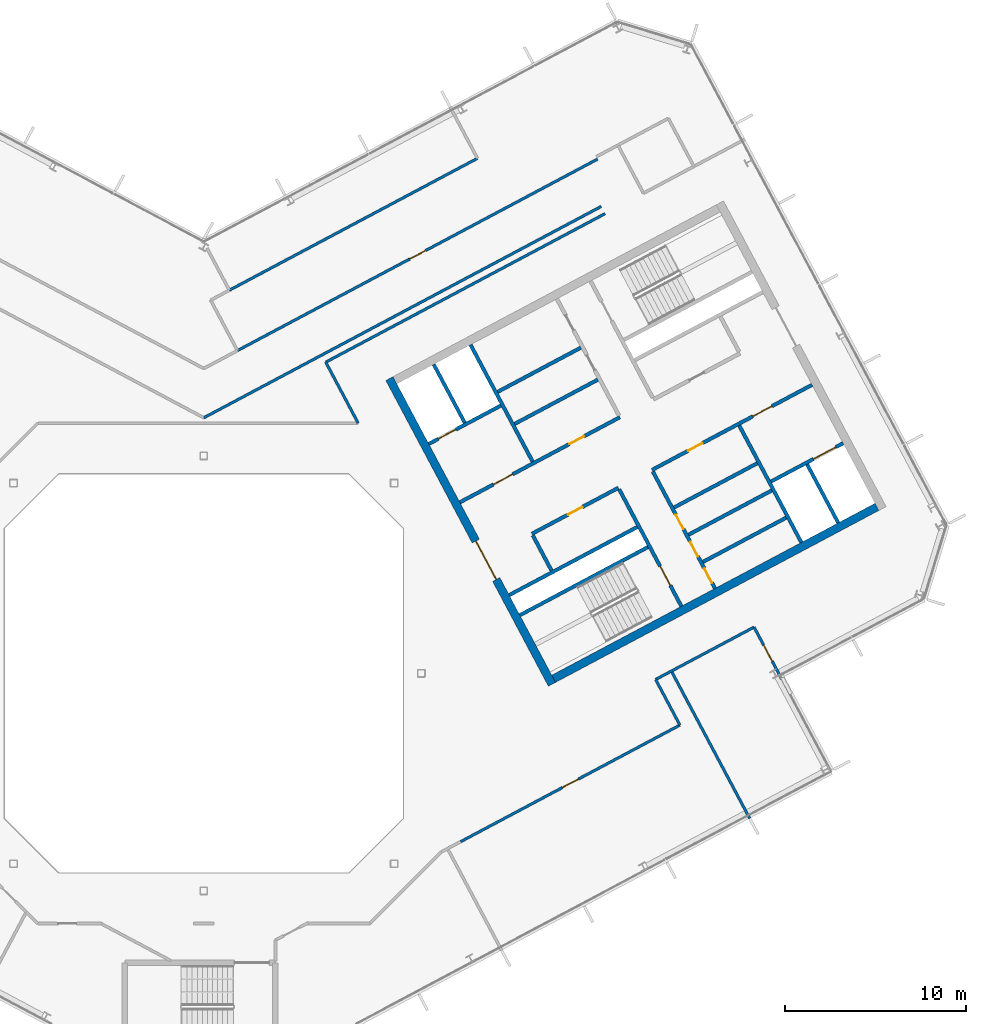
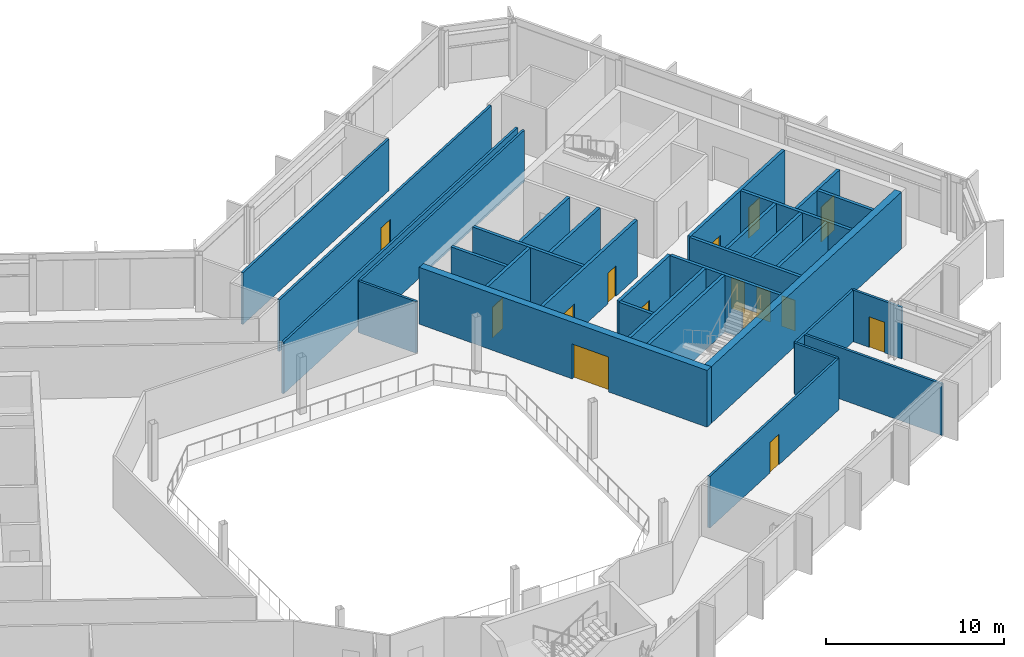
# One storey, part 16 of 26: 31 walls, 15 doors, 15 openings.
"""IFC4 building model written with IfcOpenShell, lengths in metres."""

from ifc_helpers import new_model, si_unit, direction, frame, frame_2d, origin, place, context, subcontext, project, spatial, rectangle, extrude, material, layer, layer_set, type_object, element, fill, save


model = new_model("IFC4")

# Units and contexts
model_context = context("Model", 3, precision=1e-05, world=origin(), true_north=direction((0.0, 1.0)))
body_context = subcontext(model_context, "Body", "Model", "MODEL_VIEW")
ifc_project = project(units=[si_unit("LENGTHUNIT", "METRE"), si_unit("AREAUNIT", "SQUARE_METRE"), si_unit("VOLUMEUNIT", "CUBIC_METRE"), si_unit("PLANEANGLEUNIT", "RADIAN"), si_unit("MASSUNIT", "GRAM", prefix="KILO")], contexts=[model_context])

# Site, building, storey
site_placement = place(None, origin())
site = spatial("IfcSite", under=ifc_project, at=site_placement, CompositionType="ELEMENT")
building_placement = place(site_placement, origin())
building = spatial("IfcBuilding", under=site, at=building_placement, Name="Cormorant Relay Tower", CompositionType="ELEMENT")
storey_placement = place(building_placement, frame((0.0, 0.0, 293.10009765625)))
storey = spatial("IfcBuildingStorey", under=building, at=storey_placement, Name="L66", CompositionType="ELEMENT", Elevation=293.10009765625)

# Walls
ifc_material_1 = material(Name="Concrete 40 MPa", Category="concrete")
ifc_layer_1 = layer(ifc_material_1, 0.199951171875)
ifc_layer_set_1 = layer_set([ifc_layer_1], Name="Core internal wall 200")
wall_type_1 = type_object("IfcWallType", Name="Core internal wall 200", PredefinedType="SOLIDWALL", material=ifc_layer_set_1)
for number, where, z_axis, x_axis, name in (
    (1, (27.537109375, 6.1474609375, 0.0), (0.0, 0.0, 1.0), (0.882934506056, 0.469496174655, 0.0), "L66 core B shaft and room wall"),
    (2, (26.739013671875, 7.6484375, 0.0), (0.0, 0.0, 1.0), (0.882934506056, 0.469496174655, 0.0), "L66 core B shaft and room wall"),
    (3, (16.2080078125, 15.526611328125, 0.0), (0.0, 0.0, 1.0), (0.882953967957, 0.469459572775, 0.0), "L66 core B shaft and room wall"),
):
    element("IfcWall", number, at=place(storey_placement, frame(where, z_axis=z_axis, x_axis=x_axis)), inside=storey, type_object=wall_type_1, Name=name, PredefinedType="SOLIDWALL", context=body_context, shape_type="SweptSolid", body=[
        extrude(rectangle(XDim=5.199951171875, YDim=0.199951171875, at=frame_2d((2.60009765625, 0.0))), origin(), (0.0, 0.0, 1.0), 3.89990234375),
    ])
ifc_material_2 = material(Name="Concrete 50 MPa", Category="concrete")
ifc_layer_2 = layer(ifc_material_2, 0.199951171875)
ifc_layer_set_2 = layer_set([ifc_layer_2], Name="Core shaft wall 200")
wall_type_2 = type_object("IfcWallType", Name="Core shaft wall 200", PredefinedType="SHEAR", material=ifc_layer_set_2)
wall_1_placement = place(storey_placement, frame((14.39404296875, 13.825927734375, 0.0), z_axis=(0.0, 0.0, 1.0), x_axis=(-0.469494272526, 0.882935517501, 0.0)))
element("IfcWall", 4, at=wall_1_placement, inside=storey, type_object=wall_type_2, Name="L66 core B shaft wall", PredefinedType="SHEAR", context=body_context, shape_type="SweptSolid", body=[
    extrude(rectangle(XDim=3.64990234375, YDim=0.199951171875, at=frame_2d((1.824951171875, 0.0))), origin(), (0.0, 0.0, 1.0), 3.89990234375),
])
wall_2_placement = place(storey_placement, frame((19.18359375, 5.669921875, 0.0), z_axis=(0.0, 0.0, 1.0), x_axis=(-0.4694473164, 0.882960484464, 0.0)))
element("IfcWall", 5, at=wall_2_placement, inside=storey, type_object=wall_type_2, Name="L66 core B shaft wall", PredefinedType="SHEAR", context=body_context, shape_type="SweptSolid", body=[
    extrude(rectangle(XDim=2.199951171875, YDim=0.199951171875, at=frame_2d((1.10009765625, 0.0))), origin(), (0.0, 0.0, 1.0), 3.89990234375),
])
wall_3_placement = place(storey_placement, frame((18.138427734375, 11.682861328125, 0.0), z_axis=(0.0, 0.0, 1.0), x_axis=(-0.469480409012, 0.88294288918, 0.0)))
element("IfcWall", 6, at=wall_3_placement, inside=storey, type_object=wall_type_2, Name="L66 core B shaft wall", PredefinedType="SHEAR", context=body_context, shape_type="SweptSolid", body=[
    extrude(rectangle(XDim=7.300048828125, YDim=0.199951171875, at=frame_2d((3.64990234375, 0.0))), origin(), (0.0, 0.0, 1.0), 3.89990234375),
])

# Wall, opening, door
wall_4_placement = place(storey_placement, frame((26.345947265625, 3.701904296875, 0.0), z_axis=(0.0, 0.0, 1.0), x_axis=(-0.469480409012, 0.88294288918, 0.0)))
wall_4 = element("IfcWall", 7, at=wall_4_placement, inside=storey, type_object=wall_type_2, Name="L66 core B shaft wall", PredefinedType="SHEAR", context=body_context, shape_type="SweptSolid", body=[
    extrude(rectangle(XDim=7.300048828125, YDim=0.199951171875, at=frame_2d((3.64990234375, 0.0))), origin(), (0.0, 0.0, 1.0), 3.89990234375),
])
opening_1_placement = place(wall_4_placement, frame((1.300048828125, 0.0, 0.0)))
opening_1 = element("IfcOpeningElement", 8, at=opening_1_placement, cuts=wall_4, Name="Opening CDB-040", PredefinedType="OPENING", context=body_context, shape_type="SweptSolid", body=[
    extrude(rectangle(XDim=1.199951171875, YDim=2.10009765625, at=frame_2d((0.60009765625, 1.050048828125))), frame((0.0, 0.10986328125, 0.0), z_axis=(0.0, -1.0, 0.0), x_axis=(1.0, 0.0, 0.0)), (0.0, 0.0, 1.0), 0.219970703125),
])
ifc_material_3 = material(Name="Steel fire door", Category="steel")
door_type_1 = type_object("IfcDoorType", Name="Core stair door 1200x2100", OperationType="SINGLE_SWING_LEFT", PredefinedType="DOOR", material=ifc_material_3)
door_1_placement = place(opening_1_placement, origin())
door_1 = element("IfcDoor", 9, at=door_1_placement, inside=storey, type_object=door_type_1, Name="Core stair door 1200x2100", OperationType="SINGLE_SWING_RIGHT", OverallHeight=2.10009765625, OverallWidth=1.199951171875, PredefinedType="DOOR", context=body_context, shape_type="SweptSolid", body=[
    extrude(rectangle(XDim=1.199951171875, YDim=2.10009765625, at=frame_2d((0.60009765625, 1.050048828125))), frame((0.0, 0.02490234375, 0.0), z_axis=(0.0, -1.0, 0.0), x_axis=(1.0, 0.0, 0.0)), (0.0, 0.0, 1.0), 0.050048828125),
])
fill(opening_1, door_1)

# Wall, openings, doors
wall_5_placement = place(storey_placement, frame((28.199951171875, 4.687744140625, 0.0), z_axis=(0.0, 0.0, 1.0), x_axis=(-0.469454336211, 0.882956752176, 0.0)))
wall_5 = element("IfcWall", 10, at=wall_5_placement, inside=storey, type_object=wall_type_2, Name="L66 core B shaft wall", PredefinedType="SHEAR", context=body_context, shape_type="SweptSolid", body=[
    extrude(rectangle(XDim=7.300048828125, YDim=0.199951171875, at=frame_2d((3.64990234375, 0.0))), origin(), (0.0, 0.0, 1.0), 3.89990234375),
])
opening_2_placement = place(wall_5_placement, frame((0.35009765625, 0.0, 0.0)))
opening_2 = element("IfcOpeningElement", 11, at=opening_2_placement, cuts=wall_5, Name="Opening CDD-334", PredefinedType="OPENING", context=body_context, shape_type="SweptSolid", body=[
    extrude(rectangle(XDim=0.89990234375, YDim=2.10009765625, at=frame_2d((0.449951171875, 1.050048828125))), frame((0.0, 0.10986328125, 0.0), z_axis=(0.0, -1.0, 0.0), x_axis=(1.0, 0.0, 0.0)), (0.0, 0.0, 1.0), 0.219970703125),
])
opening_3_placement = place(wall_5_placement, frame((2.0, 0.0, 0.0)))
opening_3 = element("IfcOpeningElement", 12, at=opening_3_placement, cuts=wall_5, Name="Opening CDD-335", PredefinedType="OPENING", context=body_context, shape_type="SweptSolid", body=[
    extrude(rectangle(XDim=0.89990234375, YDim=2.10009765625, at=frame_2d((0.449951171875, 1.050048828125))), frame((0.0, 0.10986328125, 0.0), z_axis=(0.0, -1.0, 0.0), x_axis=(1.0, 0.0, 0.0)), (0.0, 0.0, 1.0), 0.219970703125),
])
opening_4_placement = place(wall_5_placement, frame((3.699951171875, 0.0, 0.0)))
opening_4 = element("IfcOpeningElement", 13, at=opening_4_placement, cuts=wall_5, Name="Opening CDD-336", PredefinedType="OPENING", context=body_context, shape_type="SweptSolid", body=[
    extrude(rectangle(XDim=0.89990234375, YDim=2.10009765625, at=frame_2d((0.449951171875, 1.050048828125))), frame((0.0, 0.10986328125, 0.0), z_axis=(0.0, -1.0, 0.0), x_axis=(1.0, 0.0, 0.0)), (0.0, 0.0, 1.0), 0.219970703125),
])
ifc_material_4 = material(Name="Steel fire door", Category="steel")
door_type_2 = type_object("IfcDoorType", Name="Core room door 900x2100", OperationType="SINGLE_SWING_LEFT", PredefinedType="DOOR", material=ifc_material_4)
door_2_placement = place(opening_2_placement, frame((0.89990234375, 0.0, 0.0), z_axis=(0.0, 0.0, 1.0), x_axis=(-1.0, 0.0, 0.0)))
door_2 = element("IfcDoor", 14, at=door_2_placement, inside=storey, type_object=door_type_2, Name="Core room door 900x2100", OperationType="SINGLE_SWING_LEFT", OverallHeight=2.10009765625, OverallWidth=0.89990234375, PredefinedType="DOOR", context=body_context, shape_type="SweptSolid", body=[
    extrude(rectangle(XDim=0.89990234375, YDim=2.10009765625, at=frame_2d((0.449951171875, 1.050048828125))), frame((0.0, 0.02490234375, 0.0), z_axis=(0.0, -1.0, 0.0), x_axis=(1.0, 0.0, 0.0)), (0.0, 0.0, 1.0), 0.050048828125),
])
fill(opening_2, door_2)
door_3_placement = place(opening_3_placement, frame((0.89990234375, 0.0, 0.0), z_axis=(0.0, 0.0, 1.0), x_axis=(-1.0, 0.0, 0.0)))
door_3 = element("IfcDoor", 15, at=door_3_placement, inside=storey, type_object=door_type_2, Name="Core room door 900x2100", OperationType="SINGLE_SWING_LEFT", OverallHeight=2.10009765625, OverallWidth=0.89990234375, PredefinedType="DOOR", context=body_context, shape_type="SweptSolid", body=[
    extrude(rectangle(XDim=0.89990234375, YDim=2.10009765625, at=frame_2d((0.449951171875, 1.050048828125))), frame((0.0, 0.02490234375, 0.0), z_axis=(0.0, -1.0, 0.0), x_axis=(1.0, 0.0, 0.0)), (0.0, 0.0, 1.0), 0.050048828125),
])
fill(opening_3, door_3)
door_4_placement = place(opening_4_placement, frame((0.89990234375, 0.0, 0.0), z_axis=(0.0, 0.0, 1.0), x_axis=(-1.0, 0.0, 0.0)))
door_4 = element("IfcDoor", 16, at=door_4_placement, inside=storey, type_object=door_type_2, Name="Core room door 900x2100", OperationType="SINGLE_SWING_LEFT", OverallHeight=2.10009765625, OverallWidth=0.89990234375, PredefinedType="DOOR", context=body_context, shape_type="SweptSolid", body=[
    extrude(rectangle(XDim=0.89990234375, YDim=2.10009765625, at=frame_2d((0.449951171875, 1.050048828125))), frame((0.0, 0.02490234375, 0.0), z_axis=(0.0, -1.0, 0.0), x_axis=(1.0, 0.0, 0.0)), (0.0, 0.0, 1.0), 0.050048828125),
])
fill(opening_4, door_4)

# Walls
wall_6_placement = place(storey_placement, frame((32.968017578125, 7.222900390625, 0.0), z_axis=(0.0, 0.0, 1.0), x_axis=(-0.469480409012, 0.88294288918, 0.0)))
element("IfcWall", 17, at=wall_6_placement, inside=storey, type_object=wall_type_2, Name="L66 core B shaft wall", PredefinedType="SHEAR", context=body_context, shape_type="SweptSolid", body=[
    extrude(rectangle(XDim=7.300048828125, YDim=0.199951171875, at=frame_2d((3.64990234375, 0.0))), origin(), (0.0, 0.0, 1.0), 3.89990234375),
])
wall_7_placement = place(storey_placement, frame((34.998779296875, 8.302734375, 0.0), z_axis=(0.0, 0.0, 1.0), x_axis=(-0.4694665462, 0.882950260207, 0.0)))
element("IfcWall", 18, at=wall_7_placement, inside=storey, type_object=wall_type_2, Name="L66 core B shaft wall", PredefinedType="SHEAR", context=body_context, shape_type="SweptSolid", body=[
    extrude(rectangle(XDim=3.650146484375, YDim=0.199951171875, at=frame_2d((1.8251953125, 0.0))), origin(), (0.0, 0.0, 1.0), 3.89990234375),
])
wall_8_placement = place(storey_placement, frame((17.43359375, 3.210205078125, 0.0), z_axis=(0.0, 0.0, 1.0), x_axis=(0.882940221191, 0.469485426614, 0.0)))
element("IfcWall", 19, at=wall_8_placement, inside=storey, type_object=wall_type_2, Name="L66 core B shaft wall", PredefinedType="SHEAR", context=body_context, shape_type="SweptSolid", body=[
    extrude(rectangle(XDim=8.0, YDim=0.199951171875, at=frame_2d((4.0, 0.0))), origin(), (0.0, 0.0, 1.0), 3.89990234375),
])

# Wall, opening, door
wall_9_placement = place(storey_placement, frame((31.295654296875, 10.5810546875, 0.0), z_axis=(0.0, 0.0, 1.0), x_axis=(0.882960433586, 0.469447412093, 0.0)))
wall_9 = element("IfcWall", 20, at=wall_9_placement, inside=storey, type_object=wall_type_2, Name="L66 core B shaft wall", PredefinedType="SHEAR", context=body_context, shape_type="SweptSolid", body=[
    extrude(rectangle(XDim=4.5, YDim=0.199951171875, at=frame_2d((2.25, 0.0))), origin(), (0.0, 0.0, 1.0), 3.89990234375),
])
opening_5_placement = place(wall_9_placement, frame((2.64990234375, 0.0, 0.0)))
opening_5 = element("IfcOpeningElement", 21, at=opening_5_placement, cuts=wall_9, Name="Opening LD3-016", PredefinedType="OPENING", context=body_context, shape_type="SweptSolid", body=[
    extrude(rectangle(XDim=1.39990234375, YDim=2.39990234375, at=frame_2d((0.699951171875, 1.199951171875))), frame((0.0, 0.10986328125, 0.0), z_axis=(0.0, -1.0, 0.0), x_axis=(1.0, 0.0, 0.0)), (0.0, 0.0, 1.0), 0.219970703125),
])
ifc_material_5 = material(Name="Stainless steel 316", Category="steel")
door_type_3 = type_object("IfcDoorType", Name="Lift landing door 1400x2400", OperationType="DOUBLE_DOOR_SLIDING", PredefinedType="DOOR", material=ifc_material_5)
door_5_placement = place(opening_5_placement, origin())
door_5 = element("IfcDoor", 22, at=door_5_placement, inside=storey, type_object=door_type_3, Name="SV2 landing door", OperationType="DOUBLE_DOOR_SLIDING", OverallHeight=2.39990234375, OverallWidth=1.39990234375, PredefinedType="DOOR", context=body_context, shape_type="SweptSolid", body=[
    extrude(rectangle(XDim=1.39990234375, YDim=2.39990234375, at=frame_2d((0.699951171875, 1.199951171875))), frame((0.0, 0.02490234375, 0.0), z_axis=(0.0, -1.0, 0.0), x_axis=(1.0, 0.0, 0.0)), (0.0, 0.0, 1.0), 0.050048828125),
])
fill(opening_5, door_5)

# Walls
wall_10_placement = place(storey_placement, frame((16.8466796875, 4.31396484375, 0.0), z_axis=(0.0, 0.0, 1.0), x_axis=(0.882940221191, 0.469485426614, 0.0)))
element("IfcWall", 23, at=wall_10_placement, inside=storey, type_object=wall_type_2, Name="L66 core B shaft wall", PredefinedType="SHEAR", context=body_context, shape_type="SweptSolid", body=[
    extrude(rectangle(XDim=8.0, YDim=0.199951171875, at=frame_2d((4.0, 0.0))), origin(), (0.0, 0.0, 1.0), 3.89990234375),
])
wall_11_placement = place(storey_placement, frame((25.94091796875, 9.149658203125, 0.0), z_axis=(0.0, 0.0, 1.0), x_axis=(0.882953967957, 0.469459572775, 0.0)))
element("IfcWall", 24, at=wall_11_placement, inside=storey, type_object=wall_type_2, Name="L66 core B shaft wall", PredefinedType="SHEAR", context=body_context, shape_type="SweptSolid", body=[
    extrude(rectangle(XDim=5.199951171875, YDim=0.199951171875, at=frame_2d((2.60009765625, 0.0))), origin(), (0.0, 0.0, 1.0), 3.89990234375),
])

# Wall, opening, door
wall_12_placement = place(storey_placement, frame((18.103759765625, 7.70068359375, 0.0), z_axis=(0.0, 0.0, 1.0), x_axis=(0.882952937579, 0.469461510692, 0.0)))
wall_12 = element("IfcWall", 25, at=wall_12_placement, inside=storey, type_object=wall_type_2, Name="L66 core B shaft wall", PredefinedType="SHEAR", context=body_context, shape_type="SweptSolid", body=[
    extrude(rectangle(XDim=5.400146484375, YDim=0.199951171875, at=frame_2d((2.7001953125, 0.0))), origin(), (0.0, 0.0, 1.0), 3.89990234375),
])
opening_6_placement = place(wall_12_placement, frame((2.25, 0.0, 0.0)))
opening_6 = element("IfcOpeningElement", 26, at=opening_6_placement, cuts=wall_12, Name="Opening CDD-262", PredefinedType="OPENING", context=body_context, shape_type="SweptSolid", body=[
    extrude(rectangle(XDim=0.89990234375, YDim=2.10009765625, at=frame_2d((0.449951171875, 1.050048828125))), frame((0.0, 0.10986328125, 0.0), z_axis=(0.0, -1.0, 0.0), x_axis=(1.0, 0.0, 0.0)), (0.0, 0.0, 1.0), 0.219970703125),
])
door_6_placement = place(opening_6_placement, frame((0.89990234375, 0.0, 0.0), z_axis=(0.0, 0.0, 1.0), x_axis=(-1.0, 0.0, 0.0)))
door_6 = element("IfcDoor", 27, at=door_6_placement, inside=storey, type_object=door_type_2, Name="Core room door 900x2100", OperationType="SINGLE_SWING_RIGHT", OverallHeight=2.10009765625, OverallWidth=0.89990234375, PredefinedType="DOOR", context=body_context, shape_type="SweptSolid", body=[
    extrude(rectangle(XDim=0.89990234375, YDim=2.10009765625, at=frame_2d((0.449951171875, 1.050048828125))), frame((0.0, 0.02490234375, 0.0), z_axis=(0.0, -1.0, 0.0), x_axis=(1.0, 0.0, 0.0)), (0.0, 0.0, 1.0), 0.050048828125),
])
fill(opening_6, door_6)

# Wall, openings, doors
wall_13_placement = place(storey_placement, frame((24.72607421875, 11.2216796875, 0.0), z_axis=(0.0, 0.0, 1.0), x_axis=(0.882940221191, 0.469485426614, 0.0)))
wall_13 = element("IfcWall", 28, at=wall_13_placement, inside=storey, type_object=wall_type_2, Name="L66 core B shaft wall", PredefinedType="SHEAR", context=body_context, shape_type="SweptSolid", body=[
    extrude(rectangle(XDim=10.0, YDim=0.199951171875, at=frame_2d((5.0, 0.0))), origin(), (0.0, 0.0, 1.0), 3.89990234375),
])
opening_7_placement = place(wall_13_placement, frame((6.300048828125, 0.0, 0.0)))
opening_7 = element("IfcOpeningElement", 29, at=opening_7_placement, cuts=wall_13, Name="Opening CDC-038", PredefinedType="OPENING", context=body_context, shape_type="SweptSolid", body=[
    extrude(rectangle(XDim=1.199951171875, YDim=2.10009765625, at=frame_2d((0.60009765625, 1.050048828125))), frame((0.0, 0.10986328125, 0.0), z_axis=(0.0, -1.0, 0.0), x_axis=(1.0, 0.0, 0.0)), (0.0, 0.0, 1.0), 0.219970703125),
])
opening_8_placement = place(wall_13_placement, frame((2.25, 0.0, 0.0)))
opening_8 = element("IfcOpeningElement", 30, at=opening_8_placement, cuts=wall_13, Name="Opening CDD-332", PredefinedType="OPENING", context=body_context, shape_type="SweptSolid", body=[
    extrude(rectangle(XDim=0.89990234375, YDim=2.10009765625, at=frame_2d((0.449951171875, 1.050048828125))), frame((0.0, 0.10986328125, 0.0), z_axis=(0.0, -1.0, 0.0), x_axis=(1.0, 0.0, 0.0)), (0.0, 0.0, 1.0), 0.219970703125),
])
ifc_material_6 = material(Name="Steel fire door", Category="steel")
door_type_4 = type_object("IfcDoorType", Name="Core lobby door 1200x2100", OperationType="SINGLE_SWING_LEFT", PredefinedType="DOOR", material=ifc_material_6)
door_7_placement = place(opening_7_placement, origin())
door_7 = element("IfcDoor", 31, at=door_7_placement, inside=storey, type_object=door_type_4, Name="Core lobby door 1200x2100", OperationType="SINGLE_SWING_LEFT", OverallHeight=2.10009765625, OverallWidth=1.199951171875, PredefinedType="DOOR", context=body_context, shape_type="SweptSolid", body=[
    extrude(rectangle(XDim=1.199951171875, YDim=2.10009765625, at=frame_2d((0.60009765625, 1.050048828125))), frame((0.0, 0.02490234375, 0.0), z_axis=(0.0, -1.0, 0.0), x_axis=(1.0, 0.0, 0.0)), (0.0, 0.0, 1.0), 0.050048828125),
])
fill(opening_7, door_7)
door_8_placement = place(opening_8_placement, origin())
door_8 = element("IfcDoor", 32, at=door_8_placement, inside=storey, type_object=door_type_2, Name="Core room door 900x2100", OperationType="SINGLE_SWING_LEFT", OverallHeight=2.10009765625, OverallWidth=0.89990234375, PredefinedType="DOOR", context=body_context, shape_type="SweptSolid", body=[
    extrude(rectangle(XDim=0.89990234375, YDim=2.10009765625, at=frame_2d((0.449951171875, 1.050048828125))), frame((0.0, 0.02490234375, 0.0), z_axis=(0.0, -1.0, 0.0), x_axis=(1.0, 0.0, 0.0)), (0.0, 0.0, 1.0), 0.050048828125),
])
fill(opening_8, door_8)

wall_14_placement = place(storey_placement, frame((14.123779296875, 9.43505859375, 0.0), z_axis=(0.0, 0.0, 1.0), x_axis=(0.882940221191, 0.469485426614, 0.0)))
wall_14 = element("IfcWall", 33, at=wall_14_placement, inside=storey, type_object=wall_type_2, Name="L66 core B shaft wall", PredefinedType="SHEAR", context=body_context, shape_type="SweptSolid", body=[
    extrude(rectangle(XDim=10.0, YDim=0.199951171875, at=frame_2d((5.0, 0.0))), origin(), (0.0, 0.0, 1.0), 3.89990234375),
])
opening_9_placement = place(wall_14_placement, frame((2.10009765625, 0.0, 0.0)))
opening_9 = element("IfcOpeningElement", 34, at=opening_9_placement, cuts=wall_14, Name="Opening CDC-037", PredefinedType="OPENING", context=body_context, shape_type="SweptSolid", body=[
    extrude(rectangle(XDim=1.199951171875, YDim=2.10009765625, at=frame_2d((0.60009765625, 1.050048828125))), frame((0.0, 0.10986328125, 0.0), z_axis=(0.0, -1.0, 0.0), x_axis=(1.0, 0.0, 0.0)), (0.0, 0.0, 1.0), 0.219970703125),
])
opening_10_placement = place(wall_14_placement, frame((6.85009765625, 0.0, 0.0)))
opening_10 = element("IfcOpeningElement", 35, at=opening_10_placement, cuts=wall_14, Name="Opening CDD-260", PredefinedType="OPENING", context=body_context, shape_type="SweptSolid", body=[
    extrude(rectangle(XDim=0.89990234375, YDim=2.10009765625, at=frame_2d((0.449951171875, 1.050048828125))), frame((0.0, 0.10986328125, 0.0), z_axis=(0.0, -1.0, 0.0), x_axis=(1.0, 0.0, 0.0)), (0.0, 0.0, 1.0), 0.219970703125),
])
door_9_placement = place(opening_9_placement, origin())
door_9 = element("IfcDoor", 36, at=door_9_placement, inside=storey, type_object=door_type_4, Name="Core lobby door 1200x2100", OperationType="SINGLE_SWING_RIGHT", OverallHeight=2.10009765625, OverallWidth=1.199951171875, PredefinedType="DOOR", context=body_context, shape_type="SweptSolid", body=[
    extrude(rectangle(XDim=1.199951171875, YDim=2.10009765625, at=frame_2d((0.60009765625, 1.050048828125))), frame((0.0, 0.02490234375, 0.0), z_axis=(0.0, -1.0, 0.0), x_axis=(1.0, 0.0, 0.0)), (0.0, 0.0, 1.0), 0.050048828125),
])
fill(opening_9, door_9)
door_10_placement = place(opening_10_placement, origin())
door_10 = element("IfcDoor", 37, at=door_10_placement, inside=storey, type_object=door_type_2, Name="Core room door 900x2100", OperationType="SINGLE_SWING_LEFT", OverallHeight=2.10009765625, OverallWidth=0.89990234375, PredefinedType="DOOR", context=body_context, shape_type="SweptSolid", body=[
    extrude(rectangle(XDim=0.89990234375, YDim=2.10009765625, at=frame_2d((0.449951171875, 1.050048828125))), frame((0.0, 0.02490234375, 0.0), z_axis=(0.0, -1.0, 0.0), x_axis=(1.0, 0.0, 0.0)), (0.0, 0.0, 1.0), 0.050048828125),
])
fill(opening_10, door_10)

# Wall
wall_15_placement = place(storey_placement, frame((17.146728515625, 13.7607421875, 0.0), z_axis=(0.0, 0.0, 1.0), x_axis=(0.882964314875, 0.469440111896, 0.0)))
element("IfcWall", 38, at=wall_15_placement, inside=storey, type_object=wall_type_2, Name="L66 core B shaft wall", PredefinedType="SHEAR", context=body_context, shape_type="SweptSolid", body=[
    extrude(rectangle(XDim=5.2001953125, YDim=0.199951171875, at=frame_2d((2.60009765625, 0.0))), origin(), (0.0, 0.0, 1.0), 3.89990234375),
])

# Wall, opening, door
wall_16_placement = place(storey_placement, frame((12.41015625, 12.657958984375, 0.0), z_axis=(0.0, 0.0, 1.0), x_axis=(0.8829484765, 0.469469900894, 0.0)))
wall_16 = element("IfcWall", 39, at=wall_16_placement, inside=storey, type_object=wall_type_2, Name="L66 core B shaft wall", PredefinedType="SHEAR", context=body_context, shape_type="SweptSolid", body=[
    extrude(rectangle(XDim=4.499755859375, YDim=0.199951171875, at=frame_2d((2.25, 0.0))), origin(), (0.0, 0.0, 1.0), 3.89990234375),
])
opening_11_placement = place(wall_16_placement, frame((0.60009765625, 0.0, 0.0)))
opening_11 = element("IfcOpeningElement", 40, at=opening_11_placement, cuts=wall_16, Name="Opening LD1-064", PredefinedType="OPENING", context=body_context, shape_type="SweptSolid", body=[
    extrude(rectangle(XDim=1.10009765625, YDim=2.10009765625, at=frame_2d((0.550048828125, 1.050048828125))), frame((0.0, 0.10986328125, 0.0), z_axis=(0.0, -1.0, 0.0), x_axis=(1.0, 0.0, 0.0)), (0.0, 0.0, 1.0), 0.219970703125),
])
ifc_material_7 = material(Name="Stainless steel 316", Category="steel")
door_type_5 = type_object("IfcDoorType", Name="Lift landing door 1100x2100", OperationType="DOUBLE_DOOR_SLIDING", PredefinedType="DOOR", material=ifc_material_7)
door_11_placement = place(opening_11_placement, origin())
door_11 = element("IfcDoor", 41, at=door_11_placement, inside=storey, type_object=door_type_5, Name="FF2 landing door", OperationType="DOUBLE_DOOR_SLIDING", OverallHeight=2.10009765625, OverallWidth=1.10009765625, PredefinedType="DOOR", context=body_context, shape_type="SweptSolid", body=[
    extrude(rectangle(XDim=1.10009765625, YDim=2.10009765625, at=frame_2d((0.550048828125, 1.050048828125))), frame((0.0, 0.02490234375, 0.0), z_axis=(0.0, -1.0, 0.0), x_axis=(1.0, 0.0, 0.0)), (0.0, 0.0, 1.0), 0.050048828125),
])
fill(opening_11, door_11)

ifc_material_8 = material(Name="Concrete 50 MPa", Category="concrete")
ifc_layer_3 = layer(ifc_material_8, 0.449951171875)
ifc_layer_set_3 = layer_set([ifc_layer_3], Name="Core wall 450")
wall_type_3 = type_object("IfcWallType", Name="Core wall 450", PredefinedType="SHEAR", material=ifc_layer_set_3)
wall_17_placement = place(storey_placement, frame((19.20654296875, -0.603759765625, 0.0), z_axis=(0.0, 0.0, 1.0), x_axis=(-0.469467968382, 0.882949504028, 0.0)))
wall_17 = element("IfcWall", 42, at=wall_17_placement, inside=storey, type_object=wall_type_3, Name="L66 core B wall", PredefinedType="SHEAR", context=body_context, shape_type="SweptSolid", body=[
    extrude(rectangle(XDim=19.099853515625, YDim=0.449951171875, at=frame_2d((9.5498046875, 0.0))), origin(), (0.0, 0.0, 1.0), 3.89990234375),
])
opening_12_placement = place(wall_17_placement, frame((6.550048828125, 0.0, 0.0)))
opening_12 = element("IfcOpeningElement", 43, at=opening_12_placement, cuts=wall_17, Name="Opening CDA-055", PredefinedType="OPENING", context=body_context, shape_type="SweptSolid", body=[
    extrude(rectangle(XDim=2.39990234375, YDim=2.39990234375, at=frame_2d((1.199951171875, 1.199951171875))), frame((0.0, 0.23486328125, 0.0), z_axis=(0.0, -1.0, 0.0), x_axis=(1.0, 0.0, 0.0)), (0.0, 0.0, 1.0), 0.469970703125),
])
ifc_material_9 = material(Name="Steel fire door", Category="steel")
door_type_6 = type_object("IfcDoorType", Name="Core lobby door 2400x2400", OperationType="DOUBLE_DOOR_SINGLE_SWING", PredefinedType="DOOR", material=ifc_material_9)
door_12_placement = place(opening_12_placement, origin())
door_12 = element("IfcDoor", 44, at=door_12_placement, inside=storey, type_object=door_type_6, Name="Core lobby door 2400x2400", OperationType="DOUBLE_DOOR_SINGLE_SWING", OverallHeight=2.39990234375, OverallWidth=2.39990234375, PredefinedType="DOOR", context=body_context, shape_type="SweptSolid", body=[
    extrude(rectangle(XDim=2.39990234375, YDim=2.39990234375, at=frame_2d((1.199951171875, 1.199951171875))), frame((0.0, 0.02490234375, 0.0), z_axis=(0.0, -1.0, 0.0), x_axis=(1.0, 0.0, 0.0)), (0.0, 0.0, 1.0), 0.050048828125),
])
fill(opening_12, door_12)

# Walls
wall_18_placement = place(storey_placement, frame((19.299560546875, -0.29931640625, 0.0), z_axis=(0.0, 0.0, 1.0), x_axis=(0.88295276571, 0.46946183394, 0.0)))
element("IfcWall", 45, at=wall_18_placement, inside=storey, type_object=wall_type_3, Name="L66 core B wall", PredefinedType="SHEAR", context=body_context, shape_type="SweptSolid", body=[
    extrude(rectangle(XDim=20.199951171875, YDim=0.449951171875, at=frame_2d((10.10009765625, 0.0))), origin(), (0.0, 0.0, 1.0), 3.89990234375),
])
ifc_material_10 = material(Name="Gypsum board fire partition")
ifc_layer_4 = layer(ifc_material_10, 0.14990234375)
ifc_layer_set_4 = layer_set([ifc_layer_4], Name="Corridor partition 150 EI 60")
wall_type_4 = type_object("IfcWallType", Name="Corridor partition 150 EI 60", PredefinedType="PARTITIONING", material=ifc_layer_set_4)
wall_19_placement = place(storey_placement, frame((0.0, 14.10009765625, 0.0), z_axis=(0.0, 0.0, 1.0), x_axis=(0.882935523368, 0.469494261493, 0.0)))
element("IfcWall", 46, at=wall_19_placement, inside=storey, type_object=wall_type_4, Name="wall/L66/part/024", PredefinedType="PARTITIONING", context=body_context, shape_type="SweptSolid", body=[
    extrude(rectangle(XDim=24.830810546875, YDim=0.14990234375, at=frame_2d((12.41552734375, 0.0))), origin(), (0.0, 0.0, 1.0), 3.539794921875),
])
wall_20_placement = place(storey_placement, frame((22.135009765625, 25.360107421875, 0.0), z_axis=(0.0, 0.0, 1.0), x_axis=(-0.882945198202, -0.469476066453, 0.0)))
element("IfcWall", 47, at=wall_20_placement, inside=storey, type_object=wall_type_4, Name="wall/L66/part/025", PredefinedType="PARTITIONING", context=body_context, shape_type="SweptSolid", body=[
    extrude(rectangle(XDim=17.449462890625, YDim=0.14990234375, at=frame_2d((8.724609375, 0.0))), origin(), (0.0, 0.0, 1.0), 3.539794921875),
])
wall_21_placement = place(storey_placement, frame((6.72802734375, 17.16796875, 0.0), z_axis=(0.0, 0.0, 1.0), x_axis=(0.469325262013, -0.883025366813, 0.0)))
element("IfcWall", 48, at=wall_21_placement, inside=storey, type_object=wall_type_4, Name="wall/L66/part/026", PredefinedType="PARTITIONING", context=body_context, shape_type="SweptSolid", body=[
    extrude(rectangle(XDim=3.81396484375, YDim=0.14990234375, at=frame_2d((1.906982421875, 0.0))), origin(), (0.0, 0.0, 1.0), 3.539794921875),
])

# Wall, opening, door
wall_22_placement = place(storey_placement, frame((1.864990234375, 17.81103515625, 0.0), z_axis=(0.0, 0.0, 1.0), x_axis=(0.882960942519, 0.469446454866, 0.0)))
wall_22 = element("IfcWall", 49, at=wall_22_placement, inside=storey, type_object=wall_type_4, Name="wall/L66/part/056", PredefinedType="PARTITIONING", context=body_context, shape_type="SweptSolid", body=[
    extrude(rectangle(XDim=22.49267578125, YDim=0.14990234375, at=frame_2d((11.246337890625, 0.0))), origin(), (0.0, 0.0, 1.0), 3.539794921875),
])
opening_13_placement = place(wall_22_placement, frame((10.75, 0.0, 0.0)))
opening_13 = element("IfcOpeningElement", 50, at=opening_13_placement, cuts=wall_22, Name="Opening DS-220", PredefinedType="OPENING", context=body_context, shape_type="SweptSolid", body=[
    extrude(rectangle(XDim=1.0, YDim=2.10009765625, at=frame_2d((0.5, 1.050048828125))), frame((0.0, 0.0849609375, 0.0), z_axis=(0.0, -1.0, 0.0), x_axis=(1.0, 0.0, 0.0)), (0.0, 0.0, 1.0), 0.169921875),
])
ifc_material_11 = material(Name="Timber door leaf", Category="wood")
door_type_7 = type_object("IfcDoorType", Name="Suite door 1000x2100", OperationType="SINGLE_SWING_LEFT", PredefinedType="DOOR", material=ifc_material_11)
door_13_placement = place(opening_13_placement, origin())
door_13 = element("IfcDoor", 51, at=door_13_placement, inside=storey, type_object=door_type_7, Name="door/L66/005", OperationType="SINGLE_SWING_LEFT", OverallHeight=2.10009765625, OverallWidth=1.0, PredefinedType="DOOR", context=body_context, shape_type="SweptSolid", body=[
    extrude(rectangle(XDim=1.0, YDim=2.10009765625, at=frame_2d((0.5, 1.050048828125))), frame((0.0, 0.02490234375, 0.0), z_axis=(0.0, -1.0, 0.0), x_axis=(1.0, 0.0, 0.0)), (0.0, 0.0, 1.0), 0.050048828125),
])
fill(opening_13, door_13)

# Wall
wall_23_placement = place(storey_placement, frame((24.927978515625, -0.341064453125, 0.0), z_axis=(0.0, 0.0, 1.0), x_axis=(0.469412363336, -0.882979067219, 0.0)))
element("IfcWall", 52, at=wall_23_placement, inside=storey, type_object=wall_type_4, Name="wall/L66/part/063", PredefinedType="PARTITIONING", context=body_context, shape_type="SweptSolid", body=[
    extrude(rectangle(XDim=2.845947265625, YDim=0.14990234375, at=frame_2d((1.4228515625, 0.0))), origin(), (0.0, 0.0, 1.0), 3.539794921875),
])

# Wall, opening, door
wall_24_placement = place(storey_placement, frame((26.263916015625, -2.85400390625, 0.0), z_axis=(0.0, 0.0, 1.0), x_axis=(-0.882948799319, -0.469469293757, 0.0)))
wall_24 = element("IfcWall", 53, at=wall_24_placement, inside=storey, type_object=wall_type_4, Name="wall/L66/part/064", PredefinedType="PARTITIONING", context=body_context, shape_type="SweptSolid", body=[
    extrude(rectangle(XDim=13.6962890625, YDim=0.14990234375, at=frame_2d((6.84814453125, 0.0))), origin(), (0.0, 0.0, 1.0), 3.539794921875),
])
opening_14_placement = place(wall_24_placement, frame((6.35009765625, 0.0, 0.0)))
opening_14 = element("IfcOpeningElement", 54, at=opening_14_placement, cuts=wall_24, Name="Opening DS-218", PredefinedType="OPENING", context=body_context, shape_type="SweptSolid", body=[
    extrude(rectangle(XDim=1.0, YDim=2.10009765625, at=frame_2d((0.5, 1.050048828125))), frame((0.0, 0.0849609375, 0.0), z_axis=(0.0, -1.0, 0.0), x_axis=(1.0, 0.0, 0.0)), (0.0, 0.0, 1.0), 0.169921875),
])
door_14_placement = place(opening_14_placement, origin())
door_14 = element("IfcDoor", 55, at=door_14_placement, inside=storey, type_object=door_type_7, Name="door/L66/003", OperationType="SINGLE_SWING_RIGHT", OverallHeight=2.10009765625, OverallWidth=1.0, PredefinedType="DOOR", context=body_context, shape_type="SweptSolid", body=[
    extrude(rectangle(XDim=1.0, YDim=2.10009765625, at=frame_2d((0.5, 1.050048828125))), frame((0.0, 0.02490234375, 0.0), z_axis=(0.0, -1.0, 0.0), x_axis=(1.0, 0.0, 0.0)), (0.0, 0.0, 1.0), 0.050048828125),
])
fill(opening_14, door_14)

wall_25_placement = place(storey_placement, frame((31.89697265625, -0.346923828125, 0.0), z_axis=(0.0, 0.0, 1.0), x_axis=(-0.469630247772, 0.882863200263, 0.0)))
wall_25 = element("IfcWall", 56, at=wall_25_placement, inside=storey, type_object=wall_type_4, Name="wall/L66/part/070", PredefinedType="PARTITIONING", context=body_context, shape_type="SweptSolid", body=[
    extrude(rectangle(XDim=3.28125, YDim=0.14990234375, at=frame_2d((1.640625, 0.0))), origin(), (0.0, 0.0, 1.0), 3.539794921875),
])
opening_15_placement = place(wall_25_placement, frame((1.14990234375, 0.0, 0.0)))
opening_15 = element("IfcOpeningElement", 57, at=opening_15_placement, cuts=wall_25, Name="Opening DS-219", PredefinedType="OPENING", context=body_context, shape_type="SweptSolid", body=[
    extrude(rectangle(XDim=1.0, YDim=2.10009765625, at=frame_2d((0.5, 1.050048828125))), frame((0.0, 0.0849609375, 0.0), z_axis=(0.0, -1.0, 0.0), x_axis=(1.0, 0.0, 0.0)), (0.0, 0.0, 1.0), 0.169921875),
])
door_15_placement = place(opening_15_placement, origin())
door_15 = element("IfcDoor", 58, at=door_15_placement, inside=storey, type_object=door_type_7, Name="door/L66/004", OperationType="SINGLE_SWING_LEFT", OverallHeight=2.10009765625, OverallWidth=1.0, PredefinedType="DOOR", context=body_context, shape_type="SweptSolid", body=[
    extrude(rectangle(XDim=1.0, YDim=2.10009765625, at=frame_2d((0.5, 1.050048828125))), frame((0.0, 0.02490234375, 0.0), z_axis=(0.0, -1.0, 0.0), x_axis=(1.0, 0.0, 0.0)), (0.0, 0.0, 1.0), 0.050048828125),
])
fill(opening_15, door_15)

# Walls
wall_26_placement = place(storey_placement, frame((30.35595703125, 2.550048828125, 0.0), z_axis=(0.0, 0.0, 1.0), x_axis=(-0.882959926014, -0.46944836676, 0.0)))
element("IfcWall", 59, at=wall_26_placement, inside=storey, type_object=wall_type_4, Name="wall/L66/part/071", PredefinedType="PARTITIONING", context=body_context, shape_type="SweptSolid", body=[
    extrude(rectangle(XDim=6.149658203125, YDim=0.14990234375, at=frame_2d((3.07470703125, 0.0))), origin(), (0.0, 0.0, 1.0), 3.539794921875),
])
ifc_material_12 = material(Name="Gypsum board partition")
ifc_layer_5 = layer(ifc_material_12, 0.14990234375)
ifc_layer_set_5 = layer_set([ifc_layer_5], Name="Tenant partition 150")
wall_type_5 = type_object("IfcWallType", Name="Tenant partition 150", PredefinedType="PARTITIONING", material=ifc_layer_set_5)
wall_27_placement = place(storey_placement, frame((1.406005859375, 21.134033203125, 0.0), z_axis=(0.0, 0.0, 1.0), x_axis=(0.88296030725, 0.469447649713, 0.0)))
element("IfcWall", 60, at=wall_27_placement, inside=storey, type_object=wall_type_5, Name="wall/L66/part/054", PredefinedType="PARTITIONING", context=body_context, shape_type="SweptSolid", body=[
    extrude(rectangle(XDim=15.50341796875, YDim=0.14990234375, at=frame_2d((7.751708984375, 0.0))), origin(), (0.0, 0.0, 1.0), 3.539794921875),
])
wall_28_placement = place(storey_placement, frame((25.794921875, 0.1240234375, 0.0), z_axis=(0.0, 0.0, 1.0), x_axis=(0.469388053954, -0.882991990227, 0.0)))
element("IfcWall", 61, at=wall_28_placement, inside=storey, type_object=wall_type_5, Name="wall/L66/part/069", PredefinedType="PARTITIONING", context=body_context, shape_type="SweptSolid", body=[
    extrude(rectangle(XDim=9.199462890625, YDim=0.14990234375, at=frame_2d((4.599609375, 0.0))), origin(), (0.0, 0.0, 1.0), 3.539794921875),
])

save(model, "model.ifc")
